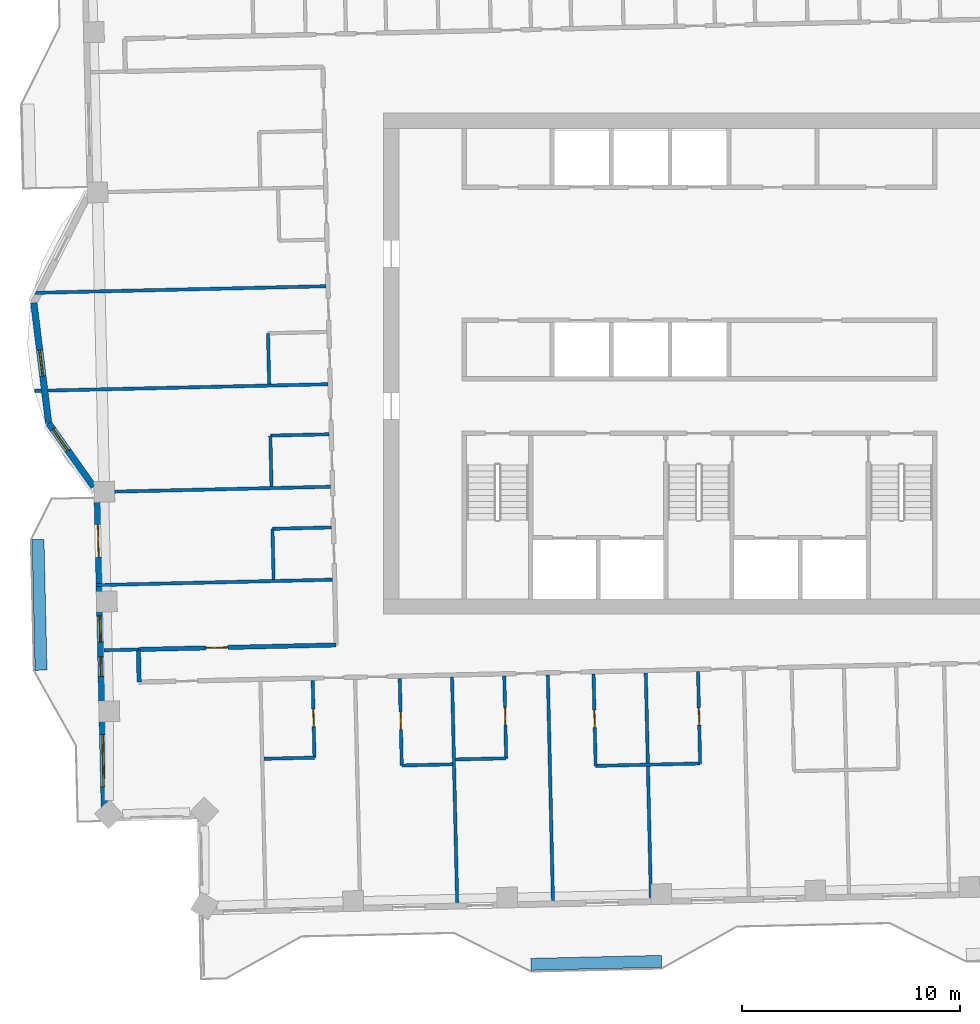
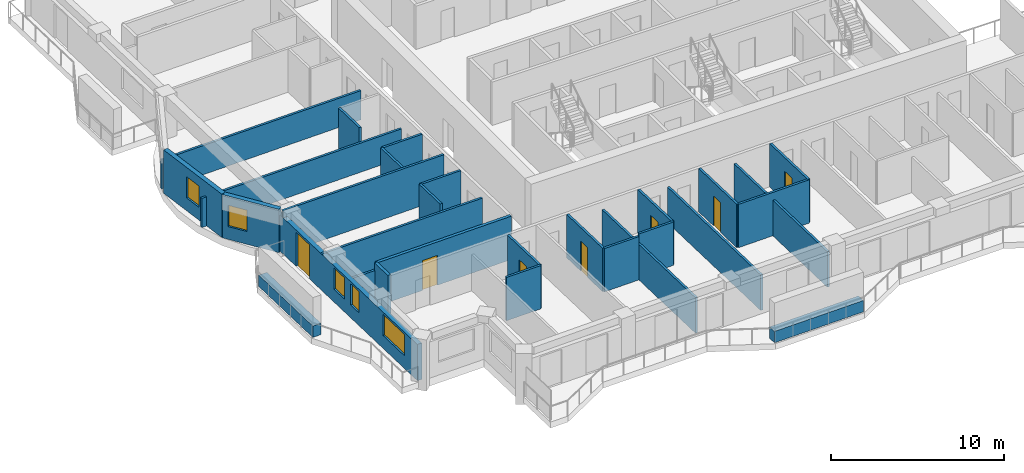
# One storey, part 8 of 20: 29 walls, 7 doors, 5 windows, 12 openings.
"""IFC4 building model written with IfcOpenShell, lengths in metres."""

from ifc_helpers import new_model, si_unit, direction, frame, frame_2d, origin, place, context, subcontext, project, spatial, rectangle, extrude, material, layer, layer_set, type_object, element, fill, save


model = new_model("IFC4")

# Units and contexts
model_context = context("Model", 3, precision=1e-05, world=origin(), true_north=direction((0.0, 1.0)))
body_context = subcontext(model_context, "Body", "Model", "MODEL_VIEW")
ifc_project = project(units=[si_unit("LENGTHUNIT", "METRE"), si_unit("AREAUNIT", "SQUARE_METRE"), si_unit("VOLUMEUNIT", "CUBIC_METRE"), si_unit("PLANEANGLEUNIT", "RADIAN"), si_unit("MASSUNIT", "GRAM", prefix="KILO")], contexts=[model_context])

# Site, building, storey
site_placement = place(None, origin())
site = spatial("IfcSite", under=ifc_project, at=site_placement, CompositionType="ELEMENT")
building_placement = place(site_placement, origin())
building = spatial("IfcBuilding", under=site, at=building_placement, Name="Mangrove Gate Tower", CompositionType="ELEMENT")
storey_placement = place(building_placement, frame((0.0, 0.0, 294.300048828125)))
storey = spatial("IfcBuildingStorey", under=building, at=storey_placement, Name="L75", CompositionType="ELEMENT", Elevation=294.300048828125)

# Wall
ifc_material_1 = material(Name="Gypsum board on steel stud, EI 60", Category="steel")
ifc_layer_1 = layer(ifc_material_1, 0.199951171875)
ifc_layer_set_1 = layer_set([ifc_layer_1], Name="Corridor wall EI 60")
wall_type_1 = type_object("IfcWallType", Name="Corridor wall EI 60", PredefinedType="PARTITIONING", material=ifc_layer_set_1)
wall_1_placement = place(storey_placement, frame((-25.72802734375, -14.6240234375, 0.0), z_axis=(0.0, 0.0, 1.0), x_axis=(-0.022632637625, 0.99974384905, 0.0)))
element("IfcWall", 1, at=wall_1_placement, inside=storey, type_object=wall_type_1, Name="WALL-L75-030", PredefinedType="PARTITIONING", context=body_context, shape_type="SweptSolid", body=[
    extrude(rectangle(XDim=1.49951171875, YDim=0.199951171875, at=frame_2d((0.749755859375, 0.0))), origin(), (0.0, 0.0, 1.0), 3.050048828125),
])

# Wall, opening, door
wall_2_placement = place(storey_placement, frame((-25.764892578125, -13.125, 0.0), z_axis=(0.0, 0.0, 1.0), x_axis=(0.999740502457, 0.022779985654, 0.0)))
wall_2 = element("IfcWall", 2, at=wall_2_placement, inside=storey, type_object=wall_type_1, Name="WALL-L75-033", PredefinedType="PARTITIONING", context=body_context, shape_type="SweptSolid", body=[
    extrude(rectangle(XDim=9.08837890625, YDim=0.199951171875, at=frame_2d((4.544189453125, 0.0))), origin(), (0.0, 0.0, 1.0), 3.050048828125),
])
opening_1_placement = place(wall_2_placement, frame((3.10693359375, 0.0, 0.0)))
opening_1 = element("IfcOpeningElement", 3, at=opening_1_placement, cuts=wall_2, Name="Opening AD", PredefinedType="OPENING", context=body_context, shape_type="SweptSolid", body=[
    extrude(rectangle(XDim=1.0, YDim=2.10009765625, at=frame_2d((0.5, 1.050048828125))), frame((0.0, 0.10986328125, 0.0), z_axis=(0.0, -1.0, 0.0), x_axis=(1.0, 0.0, 0.0)), (0.0, 0.0, 1.0), 0.219970703125),
])
ifc_material_2 = material(Name="Timber door leaf", Category="wood")
door_type_1 = type_object("IfcDoorType", Name="Amenity door 1000", OperationType="SINGLE_SWING_LEFT", PredefinedType="DOOR", material=ifc_material_2)
door_1_placement = place(opening_1_placement, origin())
door_1 = element("IfcDoor", 4, at=door_1_placement, inside=storey, type_object=door_type_1, Name="DOOR-L75-STU-c5b", OperationType="SINGLE_SWING_RIGHT", OverallHeight=2.10009765625, OverallWidth=1.0, PredefinedType="DOOR", context=body_context, shape_type="SweptSolid", body=[
    extrude(rectangle(XDim=1.0, YDim=2.10009765625, at=frame_2d((0.5, 1.050048828125))), frame((0.0, 0.02490234375, 0.0), z_axis=(0.0, -1.0, 0.0), x_axis=(1.0, 0.0, 0.0)), (0.0, 0.0, 1.0), 0.050048828125),
])
fill(opening_1, door_1)

# Wall, opening, window
ifc_material_3 = material(Name="Limestone", Category="masonry")
ifc_layer_2 = layer(ifc_material_3, 0.0400390625, Name="Limestone cladding")
ifc_material_4 = material(Name="Ventilated air gap")
ifc_layer_3 = layer(ifc_material_4, 0.0400390625, Name="Ventilated cavity")
ifc_material_5 = material(Name="Mineral wool insulation")
ifc_layer_4 = layer(ifc_material_5, 0.06005859375, Name="Insulation")
ifc_material_6 = material(Name="Breather membrane")
ifc_layer_5 = layer(ifc_material_6, 0.001953125, Name="Breather membrane")
ifc_material_7 = material(Name="Concrete C20/25 blockwork", Category="masonry")
ifc_layer_6 = layer(ifc_material_7, 0.14990234375, Name="Blockwork backing wall")
ifc_material_8 = material(Name="Gypsum plaster")
ifc_layer_7 = layer(ifc_material_8, 0.008056640625, Name="Internal plaster")
ifc_layer_set_2 = layer_set([ifc_layer_2, ifc_layer_3, ifc_layer_4, ifc_layer_5, ifc_layer_6, ifc_layer_7], Name="External wall 300 limestone cladding")
wall_type_2 = type_object("IfcWallType", Name="External wall 300 limestone cladding", PredefinedType="SOLIDWALL", material=ifc_layer_set_2)
wall_3_placement = place(storey_placement, frame((-30.56396484375, 2.7939453125, 0.0), z_axis=(0.0, 0.0, 1.0), x_axis=(0.122163831021, -0.992509948761, 0.0)))
wall_3 = element("IfcWall", 5, at=wall_3_placement, inside=storey, type_object=wall_type_2, Name="WALL-L75-W9f2", PredefinedType="SOLIDWALL", context=body_context, shape_type="SweptSolid", body=[
    extrude(rectangle(XDim=5.57373046875, YDim=0.300048828125, at=frame_2d((2.786865234375, 0.0))), origin(), (0.0, 0.0, 1.0), 3.050048828125),
])
opening_2_placement = place(wall_3_placement, frame((2.18701171875, 0.0, 0.89990234375)))
opening_2 = element("IfcOpeningElement", 6, at=opening_2_placement, cuts=wall_3, Name="Opening W1", PredefinedType="OPENING", context=body_context, shape_type="SweptSolid", body=[
    extrude(rectangle(XDim=1.199951171875, YDim=1.5, at=frame_2d((0.60009765625, 0.75))), frame((0.0, 0.159912109375, 0.0), z_axis=(0.0, -1.0, 0.0), x_axis=(1.0, 0.0, 0.0)), (0.0, 0.0, 1.0), 0.320068359375),
])
ifc_material_9 = material(Name="Aluminium frame with double-glazed low-e glass", Category="aluminium")
window_type_1 = type_object("IfcWindowType", Name="Side lite 1200x1500", PartitioningType="SINGLE_PANEL", PredefinedType="WINDOW", material=ifc_material_9)
window_1_placement = place(opening_2_placement, origin())
window_1 = element("IfcWindow", 7, at=window_1_placement, inside=storey, type_object=window_type_1, Name="WIN-L75-W9f2", OverallHeight=1.5, OverallWidth=1.199951171875, PartitioningType="SINGLE_PANEL", PredefinedType="WINDOW", context=body_context, shape_type="SweptSolid", body=[
    extrude(rectangle(XDim=1.199951171875, YDim=1.5, at=frame_2d((0.60009765625, 0.75))), frame((0.0, 0.030029296875, 0.0), z_axis=(0.0, -1.0, 0.0), x_axis=(1.0, 0.0, 0.0)), (0.0, 0.0, 1.0), 0.06005859375),
])
fill(opening_2, window_1)

wall_4_placement = place(storey_placement, frame((-29.883056640625, -2.738037109375, 0.0), z_axis=(0.0, 0.0, 1.0), x_axis=(0.578095163598, -0.815969351033, 0.0)))
wall_4 = element("IfcWall", 8, at=wall_4_placement, inside=storey, type_object=wall_type_2, Name="WALL-L75-W9f3", PredefinedType="SOLIDWALL", context=body_context, shape_type="SweptSolid", body=[
    extrude(rectangle(XDim=3.568603515625, YDim=0.300048828125, at=frame_2d((1.7841796875, 0.0))), origin(), (0.0, 0.0, 1.0), 3.050048828125),
])
opening_3_placement = place(wall_4_placement, frame((0.337890625, 0.0, 0.89990234375)))
opening_3 = element("IfcOpeningElement", 9, at=opening_3_placement, cuts=wall_4, Name="Opening W1", PredefinedType="OPENING", context=body_context, shape_type="SweptSolid", body=[
    extrude(rectangle(XDim=1.199951171875, YDim=1.5, at=frame_2d((0.60009765625, 0.75))), frame((0.0, 0.159912109375, 0.0), z_axis=(0.0, -1.0, 0.0), x_axis=(1.0, 0.0, 0.0)), (0.0, 0.0, 1.0), 0.320068359375),
])
window_2_placement = place(opening_3_placement, origin())
window_2 = element("IfcWindow", 10, at=window_2_placement, inside=storey, type_object=window_type_1, Name="WIN-L75-W9f3", OverallHeight=1.5, OverallWidth=1.199951171875, PartitioningType="SINGLE_PANEL", PredefinedType="WINDOW", context=body_context, shape_type="SweptSolid", body=[
    extrude(rectangle(XDim=1.199951171875, YDim=1.5, at=frame_2d((0.60009765625, 0.75))), frame((0.0, 0.030029296875, 0.0), z_axis=(0.0, -1.0, 0.0), x_axis=(1.0, 0.0, 0.0)), (0.0, 0.0, 1.0), 0.06005859375),
])
fill(opening_3, window_2)

# Wall, openings, door, windows
wall_5_placement = place(storey_placement, frame((-27.6650390625, -5.416015625, 0.0), z_axis=(0.0, 0.0, 1.0), x_axis=(0.022660024814, -0.999743228672, 0.0)))
wall_5 = element("IfcWall", 11, at=wall_5_placement, inside=storey, type_object=wall_type_2, Name="WALL-L75-W10s1", PredefinedType="SOLIDWALL", context=body_context, shape_type="SweptSolid", body=[
    extrude(rectangle(XDim=15.449951171875, YDim=0.300048828125, at=frame_2d((7.72509765625, 0.0))), origin(), (0.0, 0.0, 1.0), 2.550048828125),
])
opening_4_placement = place(wall_5_placement, frame((1.97509765625, 0.0, 0.0)))
opening_4 = element("IfcOpeningElement", 12, at=opening_4_placement, cuts=wall_5, Name="Opening BD1", PredefinedType="OPENING", context=body_context, shape_type="SweptSolid", body=[
    extrude(rectangle(XDim=1.5, YDim=2.39990234375, at=frame_2d((0.75, 1.199951171875))), frame((0.0, 0.159912109375, 0.0), z_axis=(0.0, -1.0, 0.0), x_axis=(1.0, 0.0, 0.0)), (0.0, 0.0, 1.0), 0.320068359375),
])
opening_5_placement = place(wall_5_placement, frame((6.1708984375, 0.0, 0.89990234375)))
opening_5 = element("IfcOpeningElement", 13, at=opening_5_placement, cuts=wall_5, Name="Opening W1", PredefinedType="OPENING", context=body_context, shape_type="SweptSolid", body=[
    extrude(rectangle(XDim=1.199951171875, YDim=1.5, at=frame_2d((0.60009765625, 0.75))), frame((0.0, 0.159912109375, 0.0), z_axis=(0.0, -1.0, 0.0), x_axis=(1.0, 0.0, 0.0)), (0.0, 0.0, 1.0), 0.320068359375),
])
opening_6_placement = place(wall_5_placement, frame((8.050048828125, 0.0, 0.89990234375)))
opening_6 = element("IfcOpeningElement", 14, at=opening_6_placement, cuts=wall_5, Name="Opening W5", PredefinedType="OPENING", context=body_context, shape_type="SweptSolid", body=[
    extrude(rectangle(XDim=0.89990234375, YDim=1.5, at=frame_2d((0.449951171875, 0.75))), frame((0.0, 0.159912109375, 0.0), z_axis=(0.0, -1.0, 0.0), x_axis=(1.0, 0.0, 0.0)), (0.0, 0.0, 1.0), 0.320068359375),
])
opening_7_placement = place(wall_5_placement, frame((11.625, 0.0, 0.89990234375)))
opening_7 = element("IfcOpeningElement", 15, at=opening_7_placement, cuts=wall_5, Name="Opening W2", PredefinedType="OPENING", context=body_context, shape_type="SweptSolid", body=[
    extrude(rectangle(XDim=2.39990234375, YDim=1.5, at=frame_2d((1.199951171875, 0.75))), frame((0.0, 0.159912109375, 0.0), z_axis=(0.0, -1.0, 0.0), x_axis=(1.0, 0.0, 0.0)), (0.0, 0.0, 1.0), 0.320068359375),
])
ifc_material_10 = material(Name="Aluminium frame with laminated clear glass", Category="aluminium")
door_type_2 = type_object("IfcDoorType", Name="Balcony sliding door 1500x2400", OperationType="SLIDING_TO_LEFT", PredefinedType="DOOR", material=ifc_material_10)
door_2_placement = place(opening_4_placement, origin())
door_2 = element("IfcDoor", 16, at=door_2_placement, inside=storey, type_object=door_type_2, Name="DOOR-L75-W10-1", OperationType="SLIDING_TO_LEFT", OverallHeight=2.39990234375, OverallWidth=1.5, PredefinedType="DOOR", context=body_context, shape_type="SweptSolid", body=[
    extrude(rectangle(XDim=1.5, YDim=2.39990234375, at=frame_2d((0.75, 1.199951171875))), frame((0.0, 0.02490234375, 0.0), z_axis=(0.0, -1.0, 0.0), x_axis=(1.0, 0.0, 0.0)), (0.0, 0.0, 1.0), 0.050048828125),
])
fill(opening_4, door_2)
ifc_material_11 = material(Name="Aluminium frame with double-glazed low-e glass", Category="aluminium")
window_type_2 = type_object("IfcWindowType", Name="Corner room window 2400x1500", PartitioningType="DOUBLE_PANEL_VERTICAL", PredefinedType="WINDOW", material=ifc_material_11)
window_3_placement = place(opening_7_placement, origin())
window_3 = element("IfcWindow", 17, at=window_3_placement, inside=storey, type_object=window_type_2, Name="WIN-L75-W10-4", OverallHeight=1.5, OverallWidth=2.39990234375, PartitioningType="DOUBLE_PANEL_VERTICAL", PredefinedType="WINDOW", context=body_context, shape_type="SweptSolid", body=[
    extrude(rectangle(XDim=2.39990234375, YDim=1.5, at=frame_2d((1.199951171875, 0.75))), frame((0.0, 0.030029296875, 0.0), z_axis=(0.0, -1.0, 0.0), x_axis=(1.0, 0.0, 0.0)), (0.0, 0.0, 1.0), 0.06005859375),
])
fill(opening_7, window_3)
ifc_material_12 = material(Name="Aluminium frame with double-glazed low-e glass", Category="aluminium")
window_type_3 = type_object("IfcWindowType", Name="Narrow window 900x1500", PartitioningType="SINGLE_PANEL", PredefinedType="WINDOW", material=ifc_material_12)
window_4_placement = place(opening_6_placement, origin())
window_4 = element("IfcWindow", 18, at=window_4_placement, inside=storey, type_object=window_type_3, Name="WIN-L75-W10-3", OverallHeight=1.5, OverallWidth=0.89990234375, PartitioningType="SINGLE_PANEL", PredefinedType="WINDOW", context=body_context, shape_type="SweptSolid", body=[
    extrude(rectangle(XDim=0.89990234375, YDim=1.5, at=frame_2d((0.449951171875, 0.75))), frame((0.0, 0.030029296875, 0.0), z_axis=(0.0, -1.0, 0.0), x_axis=(1.0, 0.0, 0.0)), (0.0, 0.0, 1.0), 0.06005859375),
])
fill(opening_6, window_4)
window_5_placement = place(opening_5_placement, origin())
window_5 = element("IfcWindow", 19, at=window_5_placement, inside=storey, type_object=window_type_1, Name="WIN-L75-W10-2", OverallHeight=1.5, OverallWidth=1.199951171875, PartitioningType="SINGLE_PANEL", PredefinedType="WINDOW", context=body_context, shape_type="SweptSolid", body=[
    extrude(rectangle(XDim=1.199951171875, YDim=1.5, at=frame_2d((0.60009765625, 0.75))), frame((0.0, 0.030029296875, 0.0), z_axis=(0.0, -1.0, 0.0), x_axis=(1.0, 0.0, 0.0)), (0.0, 0.0, 1.0), 0.06005859375),
])
fill(opening_5, window_5)

# Walls
ifc_material_13 = material(Name="Gypsum board on steel stud, EI 60", Category="steel")
ifc_layer_8 = layer(ifc_material_13, 0.14990234375)
ifc_layer_set_3 = layer_set([ifc_layer_8], Name="Party wall 150 EI 60")
wall_type_3 = type_object("IfcWallType", Name="Party wall 150 EI 60", PredefinedType="PARTITIONING", material=ifc_layer_set_3)
wall_6_placement = place(storey_placement, frame((-11.1240234375, -24.74609375, 0.0), z_axis=(0.0, 0.0, 1.0), x_axis=(-0.022690329938, 0.999742541321, 0.0)))
element("IfcWall", 20, at=wall_6_placement, inside=storey, type_object=wall_type_3, Name="WALL-L75-003", PredefinedType="PARTITIONING", context=body_context, shape_type="SweptSolid", body=[
    extrude(rectangle(XDim=10.350830078125, YDim=0.14990234375, at=frame_2d((5.17529296875, 0.0))), origin(), (0.0, 0.0, 1.0), 2.5),
])
for number, where, z_axis, x_axis, name in (
    (21, (-6.72607421875, -24.64599609375, 0.0), (0.0, 0.0, 1.0), (-0.022596564565, 0.999744665037, 0.0), "WALL-L75-004"),
    (22, (-2.22705078125, -24.5439453125, 0.0), (0.0, 0.0, 1.0), (-0.022690865001, 0.999742529177, 0.0), "WALL-L75-005"),
):
    element("IfcWall", number, at=place(storey_placement, frame(where, z_axis=z_axis, x_axis=x_axis)), inside=storey, type_object=wall_type_3, Name=name, PredefinedType="PARTITIONING", context=body_context, shape_type="SweptSolid", body=[
        extrude(rectangle(XDim=10.3505859375, YDim=0.14990234375, at=frame_2d((5.17529296875, 0.0))), origin(), (0.0, 0.0, 1.0), 2.5),
    ])

# Wall, opening, door
wall_7_placement = place(storey_placement, frame((-4.764892578125, -18.469970703125, 0.0), z_axis=(0.0, 0.0, 1.0), x_axis=(-0.022793682944, 0.999740190258, 0.0)))
wall_7 = element("IfcWall", 23, at=wall_7_placement, inside=storey, type_object=wall_type_3, Name="WALL-L75-016", PredefinedType="PARTITIONING", context=body_context, shape_type="SweptSolid", body=[
    extrude(rectangle(XDim=4.219970703125, YDim=0.14990234375, at=frame_2d((2.10986328125, 0.0))), origin(), (0.0, 0.0, 1.0), 3.050048828125),
])
opening_8_placement = place(wall_7_placement, frame((1.760009765625, 0.0, 0.0)))
opening_8 = element("IfcOpeningElement", 24, at=opening_8_placement, cuts=wall_7, Name="Opening ED", PredefinedType="OPENING", context=body_context, shape_type="SweptSolid", body=[
    extrude(rectangle(XDim=0.800048828125, YDim=2.10009765625, at=frame_2d((0.39990234375, 1.050048828125))), frame((0.0, 0.0849609375, 0.0), z_axis=(0.0, -1.0, 0.0), x_axis=(1.0, 0.0, 0.0)), (0.0, 0.0, 1.0), 0.169921875),
])
ifc_material_14 = material(Name="Timber door leaf", Category="wood")
door_type_3 = type_object("IfcDoorType", Name="En-suite door 800", OperationType="SINGLE_SWING_LEFT", PredefinedType="DOOR", material=ifc_material_14)
door_3_placement = place(opening_8_placement, origin())
door_3 = element("IfcDoor", 25, at=door_3_placement, inside=storey, type_object=door_type_3, Name="DOOR-L75-ENS-c104", OperationType="SINGLE_SWING_RIGHT", OverallHeight=2.10009765625, OverallWidth=0.800048828125, PredefinedType="DOOR", context=body_context, shape_type="SweptSolid", body=[
    extrude(rectangle(XDim=0.800048828125, YDim=2.10009765625, at=frame_2d((0.39990234375, 1.050048828125))), frame((0.0, 0.02490234375, 0.0), z_axis=(0.0, -1.0, 0.0), x_axis=(1.0, 0.0, 0.0)), (0.0, 0.0, 1.0), 0.050048828125),
])
fill(opening_8, door_3)

# Wall
wall_8_placement = place(storey_placement, frame((-4.762939453125, -18.469970703125, 0.0), z_axis=(0.0, 0.0, 1.0), x_axis=(0.999742675121, 0.022684433919, 0.0)))
element("IfcWall", 26, at=wall_8_placement, inside=storey, type_object=wall_type_3, Name="WALL-L75-017", PredefinedType="PARTITIONING", context=body_context, shape_type="SweptSolid", body=[
    extrude(rectangle(XDim=4.800048828125, YDim=0.14990234375, at=frame_2d((2.39990234375, 0.0))), origin(), (0.0, 0.0, 1.0), 3.050048828125),
])

# Wall, opening, door
wall_9_placement = place(storey_placement, frame((0.033935546875, -18.361083984375, 0.0), z_axis=(0.0, 0.0, 1.0), x_axis=(-0.0227358609, 0.999741506905, 0.0)))
wall_9 = element("IfcWall", 27, at=wall_9_placement, inside=storey, type_object=wall_type_3, Name="WALL-L75-018", PredefinedType="PARTITIONING", context=body_context, shape_type="SweptSolid", body=[
    extrude(rectangle(XDim=4.219970703125, YDim=0.14990234375, at=frame_2d((2.10986328125, 0.0))), origin(), (0.0, 0.0, 1.0), 3.050048828125),
])
opening_9_placement = place(wall_9_placement, frame((1.760009765625, 0.0, 0.0)))
opening_9 = element("IfcOpeningElement", 28, at=opening_9_placement, cuts=wall_9, Name="Opening ED", PredefinedType="OPENING", context=body_context, shape_type="SweptSolid", body=[
    extrude(rectangle(XDim=0.800048828125, YDim=2.10009765625, at=frame_2d((0.39990234375, 1.050048828125))), frame((0.0, 0.0849609375, 0.0), z_axis=(0.0, -1.0, 0.0), x_axis=(1.0, 0.0, 0.0)), (0.0, 0.0, 1.0), 0.169921875),
])
door_4_placement = place(opening_9_placement, origin())
door_4 = element("IfcDoor", 29, at=door_4_placement, inside=storey, type_object=door_type_3, Name="DOOR-L75-ENS-c205", OperationType="SINGLE_SWING_LEFT", OverallHeight=2.10009765625, OverallWidth=0.800048828125, PredefinedType="DOOR", context=body_context, shape_type="SweptSolid", body=[
    extrude(rectangle(XDim=0.800048828125, YDim=2.10009765625, at=frame_2d((0.39990234375, 1.050048828125))), frame((0.0, 0.02490234375, 0.0), z_axis=(0.0, -1.0, 0.0), x_axis=(1.0, 0.0, 0.0)), (0.0, 0.0, 1.0), 0.050048828125),
])
fill(opening_9, door_4)

wall_10_placement = place(storey_placement, frame((-13.66796875, -18.451904296875, 0.0), z_axis=(0.0, 0.0, 1.0), x_axis=(-0.022765770952, 0.999740826251, 0.0)))
wall_10 = element("IfcWall", 30, at=wall_10_placement, inside=storey, type_object=wall_type_3, Name="WALL-L75-019", PredefinedType="PARTITIONING", context=body_context, shape_type="SweptSolid", body=[
    extrude(rectangle(XDim=4.0, YDim=0.14990234375, at=frame_2d((2.0, 0.0))), origin(), (0.0, 0.0, 1.0), 3.050048828125),
])
opening_10_placement = place(wall_10_placement, frame((1.64990234375, 0.0, 0.0)))
opening_10 = element("IfcOpeningElement", 31, at=opening_10_placement, cuts=wall_10, Name="Opening ED", PredefinedType="OPENING", context=body_context, shape_type="SweptSolid", body=[
    extrude(rectangle(XDim=0.800048828125, YDim=2.10009765625, at=frame_2d((0.39990234375, 1.050048828125))), frame((0.0, 0.0849609375, 0.0), z_axis=(0.0, -1.0, 0.0), x_axis=(1.0, 0.0, 0.0)), (0.0, 0.0, 1.0), 0.169921875),
])
door_5_placement = place(opening_10_placement, origin())
door_5 = element("IfcDoor", 32, at=door_5_placement, inside=storey, type_object=door_type_3, Name="DOOR-L75-ENS-c102", OperationType="SINGLE_SWING_RIGHT", OverallHeight=2.10009765625, OverallWidth=0.800048828125, PredefinedType="DOOR", context=body_context, shape_type="SweptSolid", body=[
    extrude(rectangle(XDim=0.800048828125, YDim=2.10009765625, at=frame_2d((0.39990234375, 1.050048828125))), frame((0.0, 0.02490234375, 0.0), z_axis=(0.0, -1.0, 0.0), x_axis=(1.0, 0.0, 0.0)), (0.0, 0.0, 1.0), 0.050048828125),
])
fill(opening_10, door_5)

# Walls
for number, where, z_axis, x_axis, name in (
    (33, (-13.666015625, -18.451904296875, 0.0), (0.0, 0.0, 1.0), (0.999740478815, 0.022781023197, 0.0), "WALL-L75-020"),
    (34, (-11.197021484375, -18.175048828125, 0.0), (0.0, 0.0, 1.0), (0.999749954681, 0.022361308448, 0.0), "WALL-L75-021"),
):
    element("IfcWall", number, at=place(storey_placement, frame(where, z_axis=z_axis, x_axis=x_axis)), inside=storey, type_object=wall_type_3, Name=name, PredefinedType="PARTITIONING", context=body_context, shape_type="SweptSolid", body=[
        extrude(rectangle(XDim=2.325439453125, YDim=0.14990234375, at=frame_2d((1.16259765625, 0.0))), origin(), (0.0, 0.0, 1.0), 3.050048828125),
    ])

# Wall, opening, door
wall_11_placement = place(storey_placement, frame((-8.8740234375, -18.123046875, 0.0), z_axis=(0.0, 0.0, 1.0), x_axis=(-0.0227346095, 0.999741535363, 0.0)))
wall_11 = element("IfcWall", 35, at=wall_11_placement, inside=storey, type_object=wall_type_3, Name="WALL-L75-022", PredefinedType="PARTITIONING", context=body_context, shape_type="SweptSolid", body=[
    extrude(rectangle(XDim=3.780029296875, YDim=0.14990234375, at=frame_2d((1.89013671875, 0.0))), origin(), (0.0, 0.0, 1.0), 3.050048828125),
])
opening_11_placement = place(wall_11_placement, frame((1.5400390625, 0.0, 0.0)))
opening_11 = element("IfcOpeningElement", 36, at=opening_11_placement, cuts=wall_11, Name="Opening ED", PredefinedType="OPENING", context=body_context, shape_type="SweptSolid", body=[
    extrude(rectangle(XDim=0.800048828125, YDim=2.10009765625, at=frame_2d((0.39990234375, 1.050048828125))), frame((0.0, 0.0849609375, 0.0), z_axis=(0.0, -1.0, 0.0), x_axis=(1.0, 0.0, 0.0)), (0.0, 0.0, 1.0), 0.169921875),
])
door_6_placement = place(opening_11_placement, origin())
door_6 = element("IfcDoor", 37, at=door_6_placement, inside=storey, type_object=door_type_3, Name="DOOR-L75-ENS-c103", OperationType="SINGLE_SWING_LEFT", OverallHeight=2.10009765625, OverallWidth=0.800048828125, PredefinedType="DOOR", context=body_context, shape_type="SweptSolid", body=[
    extrude(rectangle(XDim=0.800048828125, YDim=2.10009765625, at=frame_2d((0.39990234375, 1.050048828125))), frame((0.0, 0.02490234375, 0.0), z_axis=(0.0, -1.0, 0.0), x_axis=(1.0, 0.0, 0.0)), (0.0, 0.0, 1.0), 0.050048828125),
])
fill(opening_11, door_6)

# Wall
wall_12_placement = place(storey_placement, frame((-19.9990234375, -18.14501953125, 0.0), z_axis=(0.0, 0.0, 1.0), x_axis=(0.999740260747, 0.02279059109, 0.0)))
element("IfcWall", 38, at=wall_12_placement, inside=storey, type_object=wall_type_3, Name="WALL-L75-023", PredefinedType="PARTITIONING", context=body_context, shape_type="SweptSolid", body=[
    extrude(rectangle(XDim=2.324462890625, YDim=0.14990234375, at=frame_2d((1.162109375, 0.0))), origin(), (0.0, 0.0, 1.0), 3.050048828125),
])

# Wall, opening, door
wall_13_placement = place(storey_placement, frame((-17.677001953125, -18.092041015625, 0.0), z_axis=(0.0, 0.0, 1.0), x_axis=(-0.022832321005, 0.999739308579, 0.0)))
wall_13 = element("IfcWall", 39, at=wall_13_placement, inside=storey, type_object=wall_type_3, Name="WALL-L75-024", PredefinedType="PARTITIONING", context=body_context, shape_type="SweptSolid", body=[
    extrude(rectangle(XDim=3.550048828125, YDim=0.14990234375, at=frame_2d((1.77490234375, 0.0))), origin(), (0.0, 0.0, 1.0), 3.050048828125),
])
opening_12_placement = place(wall_13_placement, frame((1.425048828125, 0.0, 0.0)))
opening_12 = element("IfcOpeningElement", 40, at=opening_12_placement, cuts=wall_13, Name="Opening ED", PredefinedType="OPENING", context=body_context, shape_type="SweptSolid", body=[
    extrude(rectangle(XDim=0.800048828125, YDim=2.10009765625, at=frame_2d((0.39990234375, 1.050048828125))), frame((0.0, 0.0849609375, 0.0), z_axis=(0.0, -1.0, 0.0), x_axis=(1.0, 0.0, 0.0)), (0.0, 0.0, 1.0), 0.169921875),
])
door_7_placement = place(opening_12_placement, origin())
door_7 = element("IfcDoor", 41, at=door_7_placement, inside=storey, type_object=door_type_3, Name="DOOR-L75-ENS-c101", OperationType="SINGLE_SWING_LEFT", OverallHeight=2.10009765625, OverallWidth=0.800048828125, PredefinedType="DOOR", context=body_context, shape_type="SweptSolid", body=[
    extrude(rectangle(XDim=0.800048828125, YDim=2.10009765625, at=frame_2d((0.39990234375, 1.050048828125))), frame((0.0, 0.02490234375, 0.0), z_axis=(0.0, -1.0, 0.0), x_axis=(1.0, 0.0, 0.0)), (0.0, 0.0, 1.0), 0.050048828125),
])
fill(opening_12, door_7)

# Walls
wall_14_placement = place(storey_placement, frame((-27.339111328125, -13.159912109375, 0.0), z_axis=(0.0, 0.0, 1.0), x_axis=(0.999755386732, 0.022117113289, 0.0)))
element("IfcWall", 42, at=wall_14_placement, inside=storey, type_object=wall_type_3, Name="WALL-L75-032", PredefinedType="PARTITIONING", context=body_context, shape_type="SweptSolid", body=[
    extrude(rectangle(XDim=1.57861328125, YDim=0.14990234375, at=frame_2d((0.789306640625, 0.0))), origin(), (0.0, 0.0, 1.0), 2.550048828125),
])
wall_15_placement = place(storey_placement, frame((-27.70703125, -10.16796875, 0.0), z_axis=(0.0, 0.0, 1.0), x_axis=(0.999741313154, 0.022744378952, 0.0)))
element("IfcWall", 43, at=wall_15_placement, inside=storey, type_object=wall_type_3, Name="WALL-L75-038", PredefinedType="PARTITIONING", context=body_context, shape_type="SweptSolid", body=[
    extrude(rectangle(XDim=10.863037109375, YDim=0.14990234375, at=frame_2d((5.431640625, 0.0))), origin(), (0.0, 0.0, 1.0), 2.550048828125),
])
wall_16_placement = place(storey_placement, frame((-19.552978515625, -9.907958984375, 0.0), z_axis=(0.0, 0.0, 1.0), x_axis=(-0.022781023197, 0.999740478815, 0.0)))
element("IfcWall", 44, at=wall_16_placement, inside=storey, type_object=wall_type_3, Name="WALL-L75-039", PredefinedType="PARTITIONING", context=body_context, shape_type="SweptSolid", body=[
    extrude(rectangle(XDim=2.325439453125, YDim=0.14990234375, at=frame_2d((1.16259765625, 0.0))), origin(), (0.0, 0.0, 1.0), 3.050048828125),
])
wall_17_placement = place(storey_placement, frame((-19.60107421875, -7.5830078125, 0.0), z_axis=(0.0, 0.0, 1.0), x_axis=(0.999744396973, 0.02260842146, 0.0)))
element("IfcWall", 45, at=wall_17_placement, inside=storey, type_object=wall_type_3, Name="WALL-L75-040", PredefinedType="PARTITIONING", context=body_context, shape_type="SweptSolid", body=[
    extrude(rectangle(XDim=2.69970703125, YDim=0.14990234375, at=frame_2d((1.349853515625, 0.0))), origin(), (0.0, 0.0, 1.0), 3.050048828125),
])
wall_18_placement = place(storey_placement, frame((-27.803955078125, -5.89892578125, 0.0), z_axis=(0.0, 0.0, 1.0), x_axis=(0.999743850541, 0.02263257177, 0.0)))
element("IfcWall", 46, at=wall_18_placement, inside=storey, type_object=wall_type_3, Name="WALL-L75-041", PredefinedType="PARTITIONING", context=body_context, shape_type="SweptSolid", body=[
    extrude(rectangle(XDim=10.862548828125, YDim=0.14990234375, at=frame_2d((5.43115234375, 0.0))), origin(), (0.0, 0.0, 1.0), 3.050048828125),
])
wall_19_placement = place(storey_placement, frame((-19.64990234375, -5.634033203125, 0.0), z_axis=(0.0, 0.0, 1.0), x_axis=(-0.02279059109, 0.999740260747, 0.0)))
element("IfcWall", 47, at=wall_19_placement, inside=storey, type_object=wall_type_3, Name="WALL-L75-042", PredefinedType="PARTITIONING", context=body_context, shape_type="SweptSolid", body=[
    extrude(rectangle(XDim=2.324462890625, YDim=0.14990234375, at=frame_2d((1.162109375, 0.0))), origin(), (0.0, 0.0, 1.0), 3.050048828125),
])
wall_20_placement = place(storey_placement, frame((-19.697998046875, -3.303955078125, 0.0), z_axis=(0.0, 0.0, 1.0), x_axis=(0.999744396973, 0.02260842146, 0.0)))
element("IfcWall", 48, at=wall_20_placement, inside=storey, type_object=wall_type_3, Name="WALL-L75-043", PredefinedType="PARTITIONING", context=body_context, shape_type="SweptSolid", body=[
    extrude(rectangle(XDim=2.69970703125, YDim=0.14990234375, at=frame_2d((1.349853515625, 0.0))), origin(), (0.0, 0.0, 1.0), 3.050048828125),
])
wall_21_placement = place(storey_placement, frame((-19.757080078125, -0.93505859375, 0.0), z_axis=(0.0, 0.0, 1.0), x_axis=(-0.02279059109, 0.999740260747, 0.0)))
element("IfcWall", 49, at=wall_21_placement, inside=storey, type_object=wall_type_3, Name="WALL-L75-044", PredefinedType="PARTITIONING", context=body_context, shape_type="SweptSolid", body=[
    extrude(rectangle(XDim=2.324462890625, YDim=0.14990234375, at=frame_2d((1.162109375, 0.0))), origin(), (0.0, 0.0, 1.0), 3.050048828125),
])
wall_22_placement = place(storey_placement, frame((-30.534912109375, -1.25, 0.0), z_axis=(0.0, 0.0, 1.0), x_axis=(0.999742750552, 0.022681109296, 0.0)))
element("IfcWall", 50, at=wall_22_placement, inside=storey, type_object=wall_type_3, Name="WALL-L75-045", PredefinedType="PARTITIONING", context=body_context, shape_type="SweptSolid", body=[
    extrude(rectangle(XDim=13.4873046875, YDim=0.14990234375, at=frame_2d((6.74365234375, 0.0))), origin(), (0.0, 0.0, 1.0), 2.050048828125),
])
wall_23_placement = place(storey_placement, frame((-30.592041015625, 3.25, 0.0), z_axis=(0.0, 0.0, 1.0), x_axis=(0.999742678725, 0.022684275074, 0.0)))
element("IfcWall", 51, at=wall_23_placement, inside=storey, type_object=wall_type_3, Name="WALL-L75-047", PredefinedType="PARTITIONING", context=body_context, shape_type="SweptSolid", body=[
    extrude(rectangle(XDim=13.4423828125, YDim=0.14990234375, at=frame_2d((6.72119140625, 0.0))), origin(), (0.0, 0.0, 1.0), 2.050048828125),
])
ifc_material_15 = material(Name="Concrete C32/40", Category="concrete")
ifc_layer_9 = layer(ifc_material_15, 0.199951171875, Name="Planter trough wall")
ifc_material_16 = material(Name="Bituminous waterproofing membrane")
ifc_layer_10 = layer(ifc_material_16, 0.0048828125, Name="Waterproofing")
ifc_material_17 = material(Name="Drainage board and gravel")
ifc_layer_11 = layer(ifc_material_17, 0.044921875, Name="Drainage layer")
ifc_material_18 = material(Name="Planting soil")
ifc_layer_12 = layer(ifc_material_18, 0.300048828125, Name="Growing medium")
ifc_layer_set_4 = layer_set([ifc_layer_9, ifc_layer_10, ifc_layer_11, ifc_layer_12], Name="Planter wall 550 C32/40")
wall_type_4 = type_object("IfcWallType", Name="Planter wall 550 C32/40", PredefinedType="USERDEFINED", material=ifc_layer_set_4)
for number, where, z_axis, x_axis, name in (
    (52, (-30.23388671875, -14.076904296875, 0.0), (0.0, 0.0, 1.0), (-0.022865581321, 0.999738548417, 0.0), "PLANTER L75 W1.1"),
    (53, (-7.739013671875, -27.583984375, 0.0), (0.0, 0.0, 1.0), (0.999743178102, 0.022662255828, 0.0), "PLANTER L75 S0.1"),
):
    element("IfcWall", number, at=place(storey_placement, frame(where, z_axis=z_axis, x_axis=x_axis)), inside=storey, type_object=wall_type_4, Name=name, ObjectType="PLANTER", PredefinedType="USERDEFINED", context=body_context, shape_type="SweptSolid", body=[
        extrude(rectangle(XDim=6.00048828125, YDim=0.550048828125, at=frame_2d((3.000244140625, 0.0))), origin(), (0.0, 0.0, 1.0), 0.800048828125),
    ])

save(model, "model.ifc")
